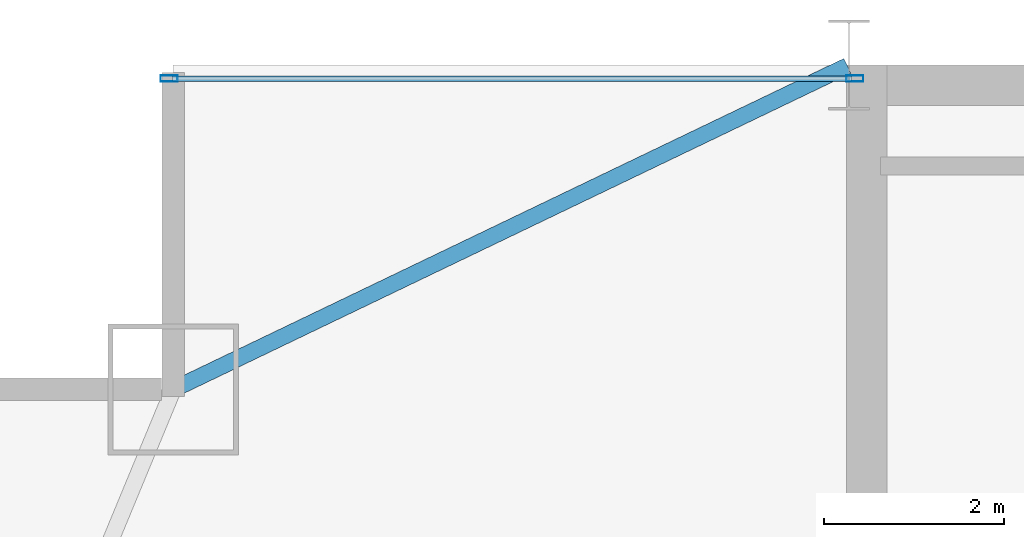
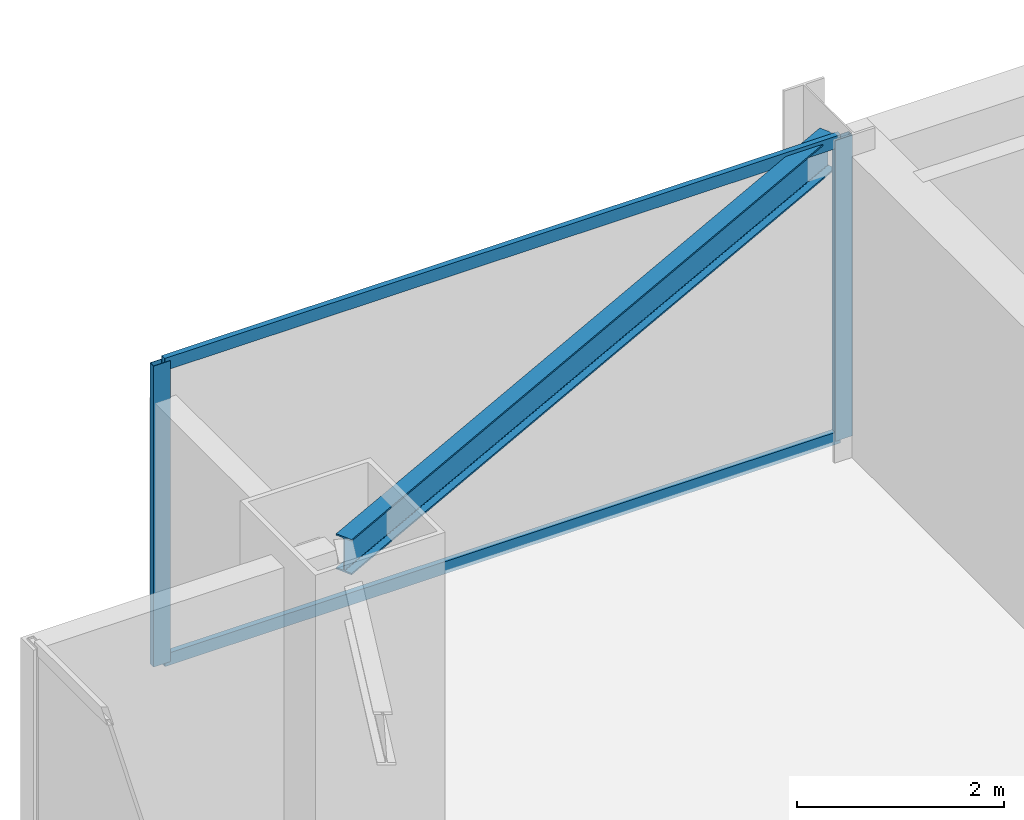
# One storey, part 24 of 38: 4 members, 1 beam, 1 element without a shape of its own.
"""IFC4 building model written with IfcOpenShell, lengths in metres."""

from ifc_helpers import new_model, si_unit, direction, frame, origin, origin_2d, place, context, subcontext, project, spatial, hollow_rectangle, i_section, extrude, source, transform, mapped, material, layer, layer_set, material_profile, profile_set, type_object, type_shapes, element, aggregate, save


model = new_model("IFC4")

# Units and contexts
model_context = context("Model", 3, precision=1e-05, world=origin(), true_north=direction((0.0, 1.0)))
body_context = subcontext(model_context, "Body", "Model", "MODEL_VIEW")
ifc_project = project(units=[si_unit("LENGTHUNIT", "METRE"), si_unit("AREAUNIT", "SQUARE_METRE"), si_unit("VOLUMEUNIT", "CUBIC_METRE"), si_unit("PLANEANGLEUNIT", "RADIAN"), si_unit("MASSUNIT", "GRAM", prefix="KILO")], contexts=[model_context])

# Site, building, storey
site_placement = place(None, origin())
site = spatial("IfcSite", under=ifc_project, at=site_placement, CompositionType="ELEMENT")
building_placement = place(site_placement, origin())
building = spatial("IfcBuilding", under=site, at=building_placement, Name="Varnel Quay Broadcast Tower", CompositionType="ELEMENT")
storey_placement = place(building_placement, frame((0.0, 0.0, 118.199951171875)))
storey = spatial("IfcBuildingStorey", under=building, at=storey_placement, Name="L28", CompositionType="ELEMENT", Elevation=118.199951171875)

# Beam
ifc_material_1 = material(Name="Structural Steel CSA G40.21 350W", Category="steel")
ifc_material_profile_1 = material_profile(ifc_material_1, i_section(OverallWidth=0.180908203125, OverallDepth=0.4169921875, WebThickness=0.010986328125, FlangeThickness=0.018310546875, FilletRadius=0.011962890625, at=origin_2d()), Name="W410X85")
ifc_profile_set_1 = profile_set([ifc_material_profile_1], Name="Structural Steel CSA G40.21 350W")
beam_type = type_object("IfcBeamType", Name="Beam_W410X85", PredefinedType="SPANDREL", material=ifc_profile_set_1)
shared_shape_1 = source(origin(), body_context, "Body", "SweptSolid", [
    extrude(i_section(OverallWidth=0.180908203125, OverallDepth=0.4169921875, WebThickness=0.010986328125, FlangeThickness=0.018310546875, FilletRadius=0.011962890625, at=origin_2d()), origin(), (0.0, 0.0, 1.0), 8.279296875),
])
type_shapes(beam_type, [shared_shape_1])
beam_placement = place(storey_placement, frame((8.117919921875, 43.208740234375, 3.341552734375), z_axis=(0.901535021024, 0.432706142626, 0.0), x_axis=(-0.432706142626, 0.901535021024, 0.0)))
element("IfcBeam", 1, at=beam_placement, inside=storey, type_object=beam_type, Name="L28 NW Tie Spandrel", PredefinedType="SPANDREL", context=body_context, shape_type="MappedRepresentation", body=[
    mapped(shared_shape_1, transform((0.0, 0.0, 0.0), x_axis=(1.0, 0.0, 0.0), y_axis=(0.0, 1.0, 0.0), z_axis=(0.0, 0.0, 1.0), scale=1.0)),
])

# Curtain wall, members
ifc_material_2 = material(Name="Anodised Bronze Aluminium 6063-T6", Category="aluminium")
ifc_layer = layer(ifc_material_2, 0.18994140625, Name="Anodised Bronze Aluminium 6063-T6")
ifc_layer_set = layer_set([ifc_layer], Name="Anodised Bronze Aluminium 6063-T6")
curtain_wall_type = type_object("IfcCurtainWallType", Name="CW_LowerTower", PredefinedType="NOTDEFINED", material=ifc_layer_set)
curtain_wall_placement = place(storey_placement, origin())
curtain_wall = element("IfcCurtainWall", 2, at=curtain_wall_placement, inside=storey, type_object=curtain_wall_type, Name="L28 NW Wing Curtain Wall", PredefinedType="NOTDEFINED")
ifc_material_profile_2 = material_profile(ifc_material_2, hollow_rectangle(XDim=0.070068359375, YDim=0.18994140625, WallThickness=0.00390625, at=origin_2d()), Name="ALU70X190X4")
ifc_profile_set_2 = profile_set([ifc_material_profile_2], Name="Anodised Bronze Aluminium 6063-T6")
member_type_1 = type_object("IfcMemberType", Name="Mull_CWS-02", PredefinedType="MULLION", material=ifc_profile_set_2)
shared_shape_2 = source(origin(), body_context, "Body", "SweptSolid", [
    extrude(hollow_rectangle(XDim=0.070068359375, YDim=0.18994140625, WallThickness=0.00390625, at=origin_2d()), origin(), (0.0, 0.0, 1.0), 3.550048828125),
])
type_shapes(member_type_1, [shared_shape_2])
member_1_placement = place(storey_placement, frame((8.054931640625, 46.64990234375, 0.0), z_axis=(0.0, 0.0, 1.0), x_axis=(0.0, 1.0, 0.0)))
member_1 = element("IfcMember", 3, at=member_1_placement, type_object=member_type_1, Name="CWS-02 mullion 1", PredefinedType="MULLION", context=body_context, shape_type="MappedRepresentation", body=[
    mapped(shared_shape_2, transform((0.0, 0.0, 0.0), x_axis=(1.0, 0.0, 0.0), y_axis=(0.0, 1.0, 0.0), z_axis=(0.0, 0.0, 1.0), scale=1.0)),
])
member_2_placement = place(storey_placement, frame((15.6650390625, 46.64990234375, 0.0), z_axis=(0.0, 0.0, 1.0), x_axis=(0.0, 1.0, 0.0)))
member_2 = element("IfcMember", 4, at=member_2_placement, type_object=member_type_1, Name="CWS-02 mullion 2", PredefinedType="MULLION", context=body_context, shape_type="MappedRepresentation", body=[
    mapped(shared_shape_2, transform((0.0, 0.0, 0.0), x_axis=(1.0, 0.0, 0.0), y_axis=(0.0, 1.0, 0.0), z_axis=(0.0, 0.0, 1.0), scale=1.0)),
])
ifc_material_profile_3 = material_profile(ifc_material_2, hollow_rectangle(XDim=0.06005859375, YDim=0.14501953125, WallThickness=0.00341796875, at=origin_2d()), Name="ALU60X145X3.5")
ifc_profile_set_3 = profile_set([ifc_material_profile_3], Name="Anodised Bronze Aluminium 6063-T6")
member_type_2 = type_object("IfcMemberType", Name="Tran_CWS-02", PredefinedType="USERDEFINED", material=ifc_profile_set_3)
shared_shape_3 = source(origin(), body_context, "Body", "SweptSolid", [
    extrude(hollow_rectangle(XDim=0.06005859375, YDim=0.14501953125, WallThickness=0.00341796875, at=origin_2d()), origin(), (0.0, 0.0, 1.0), 7.539794921875),
])
type_shapes(member_type_2, [shared_shape_3])
member_3_placement = place(storey_placement, frame((8.090087890625, 46.64990234375, 0.030029296875), z_axis=(1.0, 0.0, 0.0), x_axis=(0.0, 1.0, 0.0)))
member_3 = element("IfcMember", 5, at=member_3_placement, type_object=member_type_2, Name="CWS-02 transom 1.1", ObjectType="TRANSOM", PredefinedType="USERDEFINED", context=body_context, shape_type="MappedRepresentation", body=[
    mapped(shared_shape_3, transform((0.0, 0.0, 0.0), x_axis=(1.0, 0.0, 0.0), y_axis=(0.0, 1.0, 0.0), z_axis=(0.0, 0.0, 1.0), scale=1.0)),
])
member_4_placement = place(storey_placement, frame((8.090087890625, 46.64990234375, 3.52001953125), z_axis=(1.0, 0.0, 0.0), x_axis=(0.0, 1.0, 0.0)))
member_4 = element("IfcMember", 6, at=member_4_placement, type_object=member_type_2, Name="CWS-02 transom 1.2", ObjectType="TRANSOM", PredefinedType="USERDEFINED", context=body_context, shape_type="MappedRepresentation", body=[
    mapped(shared_shape_3, transform((0.0, 0.0, 0.0), x_axis=(1.0, 0.0, 0.0), y_axis=(0.0, 1.0, 0.0), z_axis=(0.0, 0.0, 1.0), scale=1.0)),
])
aggregate(curtain_wall, [member_1, member_2, member_3, member_4])

save(model, "model.ifc")
